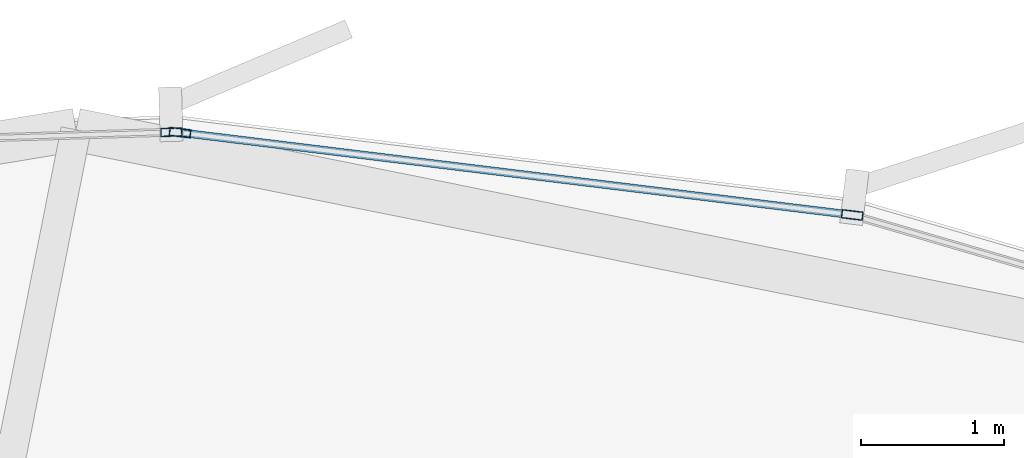
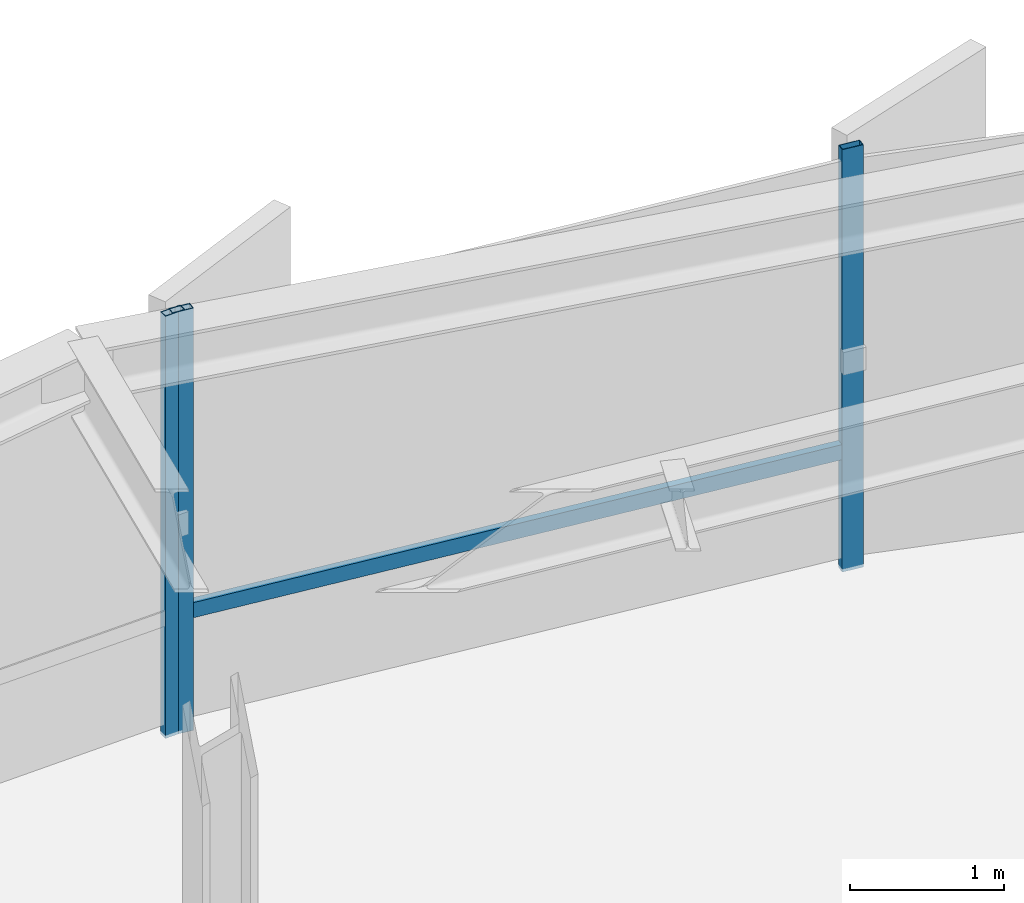
# One storey, part 26 of 34: 4 members, 2 elements without a shape of their own.
"""IFC4 building model written with IfcOpenShell, lengths in metres."""

from ifc_helpers import new_model, si_unit, direction, frame, origin, origin_2d, place, context, subcontext, project, spatial, hollow_rectangle, extrude, source, transform, mapped, material, layer, layer_set, material_profile, profile_set, type_object, element, aggregate, save


model = new_model("IFC4")

# Units and contexts
model_context = context("Model", 3, precision=1e-05, world=origin(), true_north=direction((0.0, 1.0)))
body_context = subcontext(model_context, "Body", "Model", "MODEL_VIEW")
ifc_project = project(units=[si_unit("LENGTHUNIT", "METRE"), si_unit("AREAUNIT", "SQUARE_METRE"), si_unit("VOLUMEUNIT", "CUBIC_METRE"), si_unit("PLANEANGLEUNIT", "RADIAN"), si_unit("MASSUNIT", "GRAM", prefix="KILO"), si_unit("THERMODYNAMICTEMPERATUREUNIT", "KELVIN")], contexts=[model_context])

# Site, building, storey
site_placement = place(None, origin())
site = spatial("IfcSite", under=ifc_project, at=site_placement, CompositionType="ELEMENT")
building_placement = place(site_placement, origin())
building = spatial("IfcBuilding", under=site, at=building_placement, Name="Kethvar Cultural Tower", CompositionType="ELEMENT")
storey_placement = place(building_placement, frame((0.0, 0.0, 125.199951171875)))
storey = spatial("IfcBuildingStorey", under=building, at=storey_placement, Name="L31", CompositionType="ELEMENT", Elevation=125.199951171875)

# Curtain wall, members
ifc_material = material(Name="Aluminium 6063-T6", Category="aluminium")
ifc_layer = layer(ifc_material, 0.179931640625, Name="Aluminium 6063-T6", Category="aluminium")
ifc_layer_set = layer_set([ifc_layer], Name="Aluminium 6063-T6 (180 mm)")
curtain_wall_type = type_object("IfcCurtainWallType", Name="CW-SYS-03-Z2", PredefinedType="NOTDEFINED", material=ifc_layer_set)
curtain_wall_1_placement = place(storey_placement, origin())
curtain_wall_1 = element("IfcCurtainWall", 1, at=curtain_wall_1_placement, inside=storey, type_object=curtain_wall_type, Name="L31 Curtain Wall Run 01", PredefinedType="NOTDEFINED")
ifc_material_profile_1 = material_profile(ifc_material, hollow_rectangle(XDim=0.06005859375, YDim=0.14990234375, WallThickness=0.0048828125, at=origin_2d()), Name="Aluminium 6063-T6 — RHS150x60x5")
ifc_profile_set_1 = profile_set([ifc_material_profile_1], Name="Aluminium 6063-T6 — RHS150x60x5")
member_type_1 = type_object("IfcMemberType", Name="CW-SYS-03-Z2-MUL", PredefinedType="MULLION", material=ifc_profile_set_1)
shared_shape_1 = source(origin(), body_context, "Body", "SweptSolid", [
    extrude(hollow_rectangle(XDim=0.06005859375, YDim=0.14990234375, WallThickness=0.0048828125, at=origin_2d()), origin(), (0.0, 0.0, 1.0), 3.35009765625),
])
member_1_placement = place(storey_placement, frame((57.031494140625, 51.392578125, 0.0), z_axis=(0.0, 0.0, 1.0), x_axis=(-0.121626814993, -0.992575900309, 0.0)))
member_1 = element("IfcMember", 2, at=member_1_placement, type_object=member_type_1, Name="CW-L31-R01 Mullion 6", PredefinedType="MULLION", context=body_context, shape_type="MappedRepresentation", body=[
    mapped(shared_shape_1, transform((0.0, 0.0, 0.0), scale=1.0)),
])
member_2_placement = place(storey_placement, frame((52.337646484375, 51.9677734375, 0.0), z_axis=(0.0, 0.0, 1.0), x_axis=(-0.121626814993, -0.992575900309, 0.0)))
member_2 = element("IfcMember", 3, at=member_2_placement, type_object=member_type_1, Name="CW-L31-R01 Mullion 7", PredefinedType="MULLION", context=body_context, shape_type="MappedRepresentation", body=[
    mapped(shared_shape_1, transform((0.0, 0.0, 0.0), scale=1.0)),
])

# Curtain wall, member
curtain_wall_2_placement = place(storey_placement, origin())
curtain_wall_2 = element("IfcCurtainWall", 4, at=curtain_wall_2_placement, inside=storey, type_object=curtain_wall_type, Name="L31 Curtain Wall Run 02", PredefinedType="NOTDEFINED")
member_3_placement = place(storey_placement, frame((52.277587890625, 51.970703125, 0.0), z_axis=(0.0, 0.0, 1.0), x_axis=(0.030730409319, -0.999527709442, 0.0)))
member_3 = element("IfcMember", 5, at=member_3_placement, type_object=member_type_1, Name="CW-L31-R02 Mullion 1", PredefinedType="MULLION", context=body_context, shape_type="MappedRepresentation", body=[
    mapped(shared_shape_1, transform((0.0, 0.0, 0.0), scale=1.0)),
])
aggregate(curtain_wall_2, [member_3])

# Member
ifc_material_profile_2 = material_profile(ifc_material, hollow_rectangle(XDim=0.054931640625, YDim=0.1201171875, WallThickness=0.00390625, at=origin_2d()), Name="Aluminium 6063-T6 — RHS120x55x4")
ifc_profile_set_2 = profile_set([ifc_material_profile_2], Name="Aluminium 6063-T6 — RHS120x55x4")
member_type_2 = type_object("IfcMemberType", Name="CW-SYS-03-Z2-TRN", PredefinedType="USERDEFINED", material=ifc_profile_set_2)
shared_shape_2 = source(origin(), body_context, "Body", "SweptSolid", [
    extrude(hollow_rectangle(XDim=0.054931640625, YDim=0.1201171875, WallThickness=0.00390625, at=origin_2d()), origin(), (0.0, 0.0, 1.0), 4.681396484375),
])
member_4_placement = place(storey_placement, frame((56.988525390625, 51.39794921875, 0.949951171875), z_axis=(-0.992577398233, 0.121614590064, 0.0), x_axis=(-0.121614590064, -0.992577398233, 0.0)))
member_4 = element("IfcMember", 6, at=member_4_placement, type_object=member_type_2, Name="CW-L31-R01 Transom 6", ObjectType="TRANSOM", PredefinedType="USERDEFINED", context=body_context, shape_type="MappedRepresentation", body=[
    mapped(shared_shape_2, transform((0.0, 0.0, 0.0), scale=1.0)),
])

aggregate(curtain_wall_1, [member_1, member_2, member_4])

save(model, "model.ifc")
